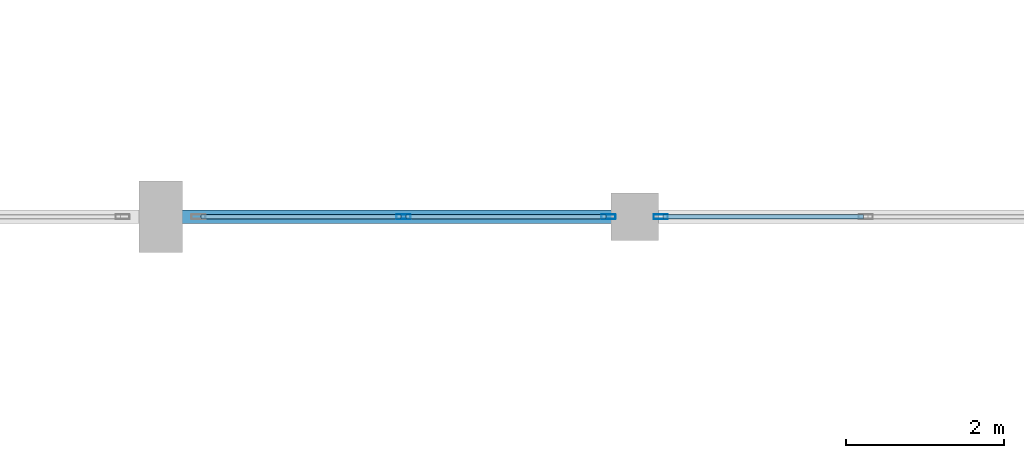
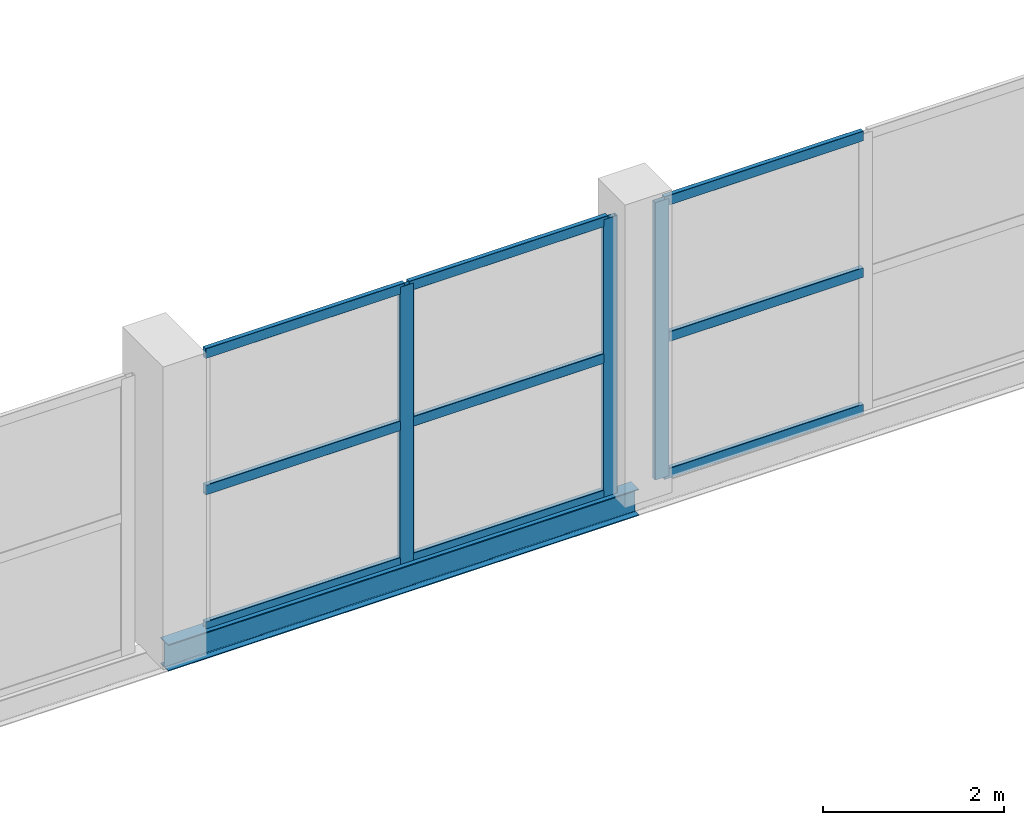
# One storey, part 36 of 127: 12 members, 1 beam, 2 elements without a shape of their own.
"""IFC4 building model written with IfcOpenShell, lengths in metres."""

import ifcopenshell
import ifcopenshell.guid

model = None  # the IFC model being written
_history = None  # IfcOwnerHistory: only IFC2X3 demands one
_inside = {}  # id of a spatial element -> (the spatial element, [elements in it])
_under = {}  # id of a project, library or spatial element -> (it, [spatial elements below it])
_declared = {}  # id of a project -> (the project, [libraries it declares])
_typed = {}  # id of a type object -> (the type object, [elements of that type])
_made_of = {}  # id of a material, layer set ... -> (it, [elements and type objects made of it])


def new_model(schema):
    """Start an empty IFC model of exactly this schema.

    Asked for "IFC4X3", IfcOpenShell would pick the latest addendum, in which some entities
    have other attributes; the version numbers below select the first issue.
    IFC2X3 requires an IfcOwnerHistory on every rooted entity: one is made here for all.
    """
    global model, _history
    if schema == "IFC4X3":
        model = ifcopenshell.file(schema_version=(4, 3, 0, 0))
    else:
        model = ifcopenshell.file(schema=schema)
    _inside.clear()
    _under.clear()
    _declared.clear()
    _typed.clear()
    _made_of.clear()
    _history = None
    if model.schema == "IFC2X3":
        org = make("IfcOrganization", Name="unknown")
        user = make(
            "IfcPersonAndOrganization",
            ThePerson=make("IfcPerson", FamilyName="unknown"),
            TheOrganization=org,
        )
        app = make(
            "IfcApplication",
            ApplicationDeveloper=org,
            Version="unknown",
            ApplicationFullName="unknown",
            ApplicationIdentifier="unknown",
        )
        _history = make(
            "IfcOwnerHistory",
            OwningUser=user,
            OwningApplication=app,
            ChangeAction="ADDED",
            CreationDate=0,
        )
    return model


def make(cls, **values):
    """One entity of the class cls with the attributes given. An attribute that is None is left unset."""
    return model.create_entity(
        cls, **{name: value for name, value in values.items() if value is not None}
    )


def rooted(cls, **values):
    """An entity with a GlobalId (a new one), such as an element, a storey or a relation."""
    return make(cls, GlobalId=ifcopenshell.guid.new(), OwnerHistory=_history, **values)


def si_unit(unit_type, name, prefix=None):
    """IfcSIUnit, for example si_unit("LENGTHUNIT", "METRE", prefix="MILLI")."""
    return make("IfcSIUnit", UnitType=unit_type, Prefix=prefix, Name=name)


def assignment(units):
    """IfcUnitAssignment: the units of a project."""
    return None if units is None else make("IfcUnitAssignment", Units=units)


def point(xyz):
    """IfcCartesianPoint."""
    return None if xyz is None else make("IfcCartesianPoint", Coordinates=xyz)


def direction(xyz):
    """IfcDirection."""
    return None if xyz is None else make("IfcDirection", DirectionRatios=xyz)


def frame(location, z_axis=None, x_axis=None):
    """IfcAxis2Placement3D, a coordinate frame: its origin and axes. An axis left out is left unset."""
    return make(
        "IfcAxis2Placement3D",
        Location=point(location),
        Axis=direction(z_axis),
        RefDirection=direction(x_axis),
    )


def frame_2d(location, x_axis=None):
    """IfcAxis2Placement2D, a coordinate frame in the plane: its origin and x axis."""
    return make(
        "IfcAxis2Placement2D", Location=point(location), RefDirection=direction(x_axis)
    )


def origin():
    """The frame at (0, 0, 0) with its axes left unset."""
    return frame((0.0, 0.0, 0.0))


def origin_2d():
    """The frame at (0, 0) in the plane with its x axis left unset."""
    return frame_2d((0.0, 0.0))


def place(relative_to, where):
    """IfcLocalPlacement: puts the frame where relative to a parent placement (None: the world)."""
    return make(
        "IfcLocalPlacement", PlacementRelTo=relative_to, RelativePlacement=where
    )


def context(
    kind, dimensions, precision=None, world=None, true_north=None, identifier=None
):
    """IfcGeometricRepresentationContext, for example the 3D "Model" context."""
    return make(
        "IfcGeometricRepresentationContext",
        ContextIdentifier=identifier,
        ContextType=kind,
        CoordinateSpaceDimension=dimensions,
        Precision=precision,
        WorldCoordinateSystem=world,
        TrueNorth=true_north,
    )


def subcontext(parent, identifier, kind, view, scale=None):
    """IfcGeometricRepresentationSubContext, for example "Body" below "Model"."""
    return make(
        "IfcGeometricRepresentationSubContext",
        ContextIdentifier=identifier,
        ContextType=kind,
        ParentContext=parent,
        TargetScale=scale,
        TargetView=view,
    )


def project(units=None, contexts=None):
    """IfcProject with its units and contexts."""
    return rooted(
        "IfcProject",
        Name="project",
        RepresentationContexts=contexts,
        UnitsInContext=assignment(units),
    )


def spatial(cls, under=None, at=None, **own):
    """A site, building, storey or space (cls), placed at a placement, below another one or the project."""
    s = rooted(cls, ObjectPlacement=at, **own)
    if under is not None:
        _under.setdefault(under.id(), (under, []))[1].append(s)
    return s


def profile(cls, at=None, kind="AREA", **sizes):
    """A parametric profile (cls). Its sizes go by their IFC names, for example OverallWidth=200.0."""
    return make(cls, ProfileType=kind, Position=at, **sizes)


def hollow_rectangle(**sizes):
    """IfcRectangleHollowProfileDef."""
    return profile("IfcRectangleHollowProfileDef", **sizes)


def i_section(**sizes):
    """IfcIShapeProfileDef."""
    return profile("IfcIShapeProfileDef", **sizes)


def extrude(swept, where, along, depth):
    """IfcExtrudedAreaSolid: the profile swept, set in the frame where, extruded along a direction by depth."""
    return make(
        "IfcExtrudedAreaSolid",
        SweptArea=swept,
        Position=where,
        ExtrudedDirection=direction(along),
        Depth=depth,
    )


def shape(context_of_items, identifier, shape_type, items):
    """IfcShapeRepresentation: the items that make up one representation, for example the "Body"."""
    return make(
        "IfcShapeRepresentation",
        ContextOfItems=context_of_items,
        RepresentationIdentifier=identifier,
        RepresentationType=shape_type,
        Items=items,
    )


def material(Name=None, Category=None):
    """IfcMaterial."""
    return make("IfcMaterial", Name=Name, Category=Category)


def layer(
    of_material, thickness, ventilated=None, Name=None, Category=None, Priority=None
):
    """IfcMaterialLayer: one layer of a wall or slab, of a material (None: an air gap)."""
    return make(
        "IfcMaterialLayer",
        Material=of_material,
        LayerThickness=thickness,
        IsVentilated=ventilated,
        Name=Name,
        Category=Category,
        Priority=Priority,
    )


def layer_set(layers, Name=None):
    """IfcMaterialLayerSet."""
    return make("IfcMaterialLayerSet", MaterialLayers=layers, LayerSetName=Name)


def material_profile(
    of_material, cross_section, Name=None, Category=None, Priority=None
):
    """IfcMaterialProfile: a cross section and its material."""
    return make(
        "IfcMaterialProfile",
        Name=Name,
        Material=of_material,
        Profile=cross_section,
        Priority=Priority,
        Category=Category,
    )


def profile_set(profiles, Name=None, composite=None):
    """IfcMaterialProfileSet."""
    return make(
        "IfcMaterialProfileSet",
        Name=Name,
        MaterialProfiles=profiles,
        CompositeProfile=composite,
    )


def made_of(thing, what):
    """Note that an element or type object is made of a material, layer set ...; save() writes the relation."""
    if what is not None:
        _made_of.setdefault(what.id(), (what, []))[1].append(thing)
    return thing


def type_object(cls, material=None, **own):
    """A type object (cls), such as IfcWallType, which elements share."""
    return made_of(rooted(cls, **own), material)


def element(
    cls,
    number,
    at=None,
    inside=None,
    cuts=None,
    type_object=None,
    material=None,
    context=None,
    identifier="Body",
    shape_type=None,
    held_by="IfcProductDefinitionShape",
    body=None,
    shapes=None,
    **own,
):
    """One element of the class cls, such as IfcWall. Its Tag is "e" and its number.

    at: its placement. inside: the storey or other place that contains it. cuts: it is an
    opening in that element (IfcRelVoidsElement). A single representation is given by context,
    identifier, shape_type and body (its items); several are given by shapes. held_by: the class
    of the entity that holds the representations. save() writes the other relations.
    """
    e = rooted(cls, Tag="e%d" % number, ObjectPlacement=at, **own)
    if body is not None:
        shapes = [shape(context, identifier, shape_type, body)]
    if shapes is not None:
        e.Representation = make(held_by, Representations=shapes)
    if inside is not None:
        _inside.setdefault(inside.id(), (inside, []))[1].append(e)
    if cuts is not None:
        rooted(
            "IfcRelVoidsElement", RelatingBuildingElement=cuts, RelatedOpeningElement=e
        )
    if type_object is not None:
        _typed.setdefault(type_object.id(), (type_object, []))[1].append(e)
    return made_of(e, material)


def aggregate(whole, parts):
    """IfcRelAggregates: a whole, such as a stair, and the parts it consists of."""
    return rooted("IfcRelAggregates", RelatingObject=whole, RelatedObjects=parts)


def save(model, path):
    """Write the relations noted so far, then the file.

    IfcRelAggregates (storeys below a building ...), IfcRelContainedInSpatialStructure (elements
    in a storey), IfcRelDefinesByType, IfcRelAssociatesMaterial and IfcRelDeclares: one each for
    every whole, place, type object, material and project.
    """
    for whole, parts in _under.values():
        aggregate(whole, parts)
    for where, things in _inside.values():
        rooted(
            "IfcRelContainedInSpatialStructure",
            RelatedElements=things,
            RelatingStructure=where,
        )
    for kind, things in _typed.values():
        rooted("IfcRelDefinesByType", RelatedObjects=things, RelatingType=kind)
    for what, things in _made_of.values():
        rooted("IfcRelAssociatesMaterial", RelatedObjects=things, RelatingMaterial=what)
    for by, libraries in _declared.values():
        rooted("IfcRelDeclares", RelatingContext=by, RelatedDefinitions=libraries)
    model.write(path)


model = new_model("IFC4")

# Units and contexts
model_context = context("Model", 3, precision=1e-05, world=origin(), true_north=direction((0.0, 1.0)))
body_context = subcontext(model_context, "Body", "Model", "MODEL_VIEW")
ifc_project = project(units=[si_unit("LENGTHUNIT", "METRE"), si_unit("AREAUNIT", "SQUARE_METRE"), si_unit("VOLUMEUNIT", "CUBIC_METRE"), si_unit("PLANEANGLEUNIT", "RADIAN"), si_unit("MASSUNIT", "GRAM", prefix="KILO")], contexts=[model_context])

# Site, building, storey
site_placement = place(None, origin())
site = spatial("IfcSite", under=ifc_project, at=site_placement, CompositionType="ELEMENT")
building_placement = place(site_placement, origin())
building = spatial("IfcBuilding", under=site, at=building_placement, Name="Dunvalen Ferry Terminal", CompositionType="ELEMENT")
storey_placement = place(building_placement, frame((0.0, 0.0, 5.760009765625)))
storey = spatial("IfcBuildingStorey", under=building, at=storey_placement, Name="L01", CompositionType="ELEMENT", Elevation=5.760009765625)

# Curtain wall, members
ifc_material_1 = material(Name="Anodised marine aluminium and solar-control glazing", Category="aluminium")
ifc_layer = layer(ifc_material_1, 0.219970703125, Name="Anodised marine aluminium and solar-control glazing")
ifc_layer_set = layer_set([ifc_layer], Name="Anodised marine aluminium and solar-control glazing")
curtain_wall_type = type_object("IfcCurtainWallType", Name="ENV-CW-SYS-02", PredefinedType="NOTDEFINED", material=ifc_layer_set)
curtain_wall_1_placement = place(storey_placement, origin())
curtain_wall_1 = element("IfcCurtainWall", 1, at=curtain_wall_1_placement, inside=storey, type_object=curtain_wall_type, Name="L01 Curtain Wall CW-V2S-L01-03", PredefinedType="NOTDEFINED")
ifc_material_2 = material(Name="Anodised marine aluminium EN AW-6063 T6", Category="aluminium")
ifc_material_profile_1 = material_profile(ifc_material_2, hollow_rectangle(XDim=0.06005859375, YDim=0.179931640625, WallThickness=0.00341796875, InnerFilletRadius=0.00341796875, OuterFilletRadius=0.007080078125, at=origin_2d()), Name="Anodised marine aluminium EN AW-6063 T6")
ifc_profile_set_1 = profile_set([ifc_material_profile_1], Name="Anodised marine aluminium EN AW-6063 T6")
member_type_1 = type_object("IfcMemberType", Name="ENV-CW-MUL-2", PredefinedType="MULLION", material=ifc_profile_set_1)
member_1_placement = place(storey_placement, frame((123.074951171875, 57.60009765625, 0.02001953125), z_axis=(0.0, 0.0, 1.0), x_axis=(0.0, 1.0, 0.0)))
member_1 = element("IfcMember", 2, at=member_1_placement, type_object=member_type_1, Name="CW-02 mullion 2", PredefinedType="MULLION", context=body_context, shape_type="SweptSolid", body=[
    extrude(hollow_rectangle(XDim=0.06005859375, YDim=0.179931640625, WallThickness=0.00341796875, InnerFilletRadius=0.00341796875, OuterFilletRadius=0.007080078125, at=origin_2d()), origin(), (0.0, 0.0, 1.0), 3.739990234375),
])
member_2_placement = place(storey_placement, frame((125.669921875, 57.60009765625, 0.02001953125), z_axis=(0.0, 0.0, 1.0), x_axis=(0.0, 1.0, 0.0)))
member_2 = element("IfcMember", 3, at=member_2_placement, type_object=member_type_1, Name="CW-02 mullion 3", PredefinedType="MULLION", context=body_context, shape_type="SweptSolid", body=[
    extrude(hollow_rectangle(XDim=0.06005859375, YDim=0.179931640625, WallThickness=0.00341796875, InnerFilletRadius=0.00341796875, OuterFilletRadius=0.007080078125, at=origin_2d()), origin(), (0.0, 0.0, 1.0), 3.739990234375),
])

# Curtain wall, member
curtain_wall_2_placement = place(storey_placement, origin())
curtain_wall_2 = element("IfcCurtainWall", 4, at=curtain_wall_2_placement, inside=storey, type_object=curtain_wall_type, Name="L01 Curtain Wall CW-V2S-L01-04", PredefinedType="NOTDEFINED")
member_3_placement = place(storey_placement, frame((126.330078125, 57.60009765625, 0.02001953125), z_axis=(0.0, 0.0, 1.0), x_axis=(0.0, 1.0, 0.0)))
member_3 = element("IfcMember", 5, at=member_3_placement, type_object=member_type_1, Name="CW-02 mullion 1", PredefinedType="MULLION", context=body_context, shape_type="SweptSolid", body=[
    extrude(hollow_rectangle(XDim=0.06005859375, YDim=0.179931640625, WallThickness=0.00341796875, InnerFilletRadius=0.00341796875, OuterFilletRadius=0.007080078125, at=origin_2d()), origin(), (0.0, 0.0, 1.0), 3.739990234375),
])

# Member
ifc_material_profile_2 = material_profile(ifc_material_2, hollow_rectangle(XDim=0.06005859375, YDim=0.135009765625, WallThickness=0.003173828125, InnerFilletRadius=0.003173828125, OuterFilletRadius=0.00634765625, at=origin_2d()), Name="Anodised marine aluminium EN AW-6063 T6")
ifc_profile_set_2 = profile_set([ifc_material_profile_2], Name="Anodised marine aluminium EN AW-6063 T6")
member_type_2 = type_object("IfcMemberType", Name="ENV-CW-TRN-2", PredefinedType="USERDEFINED", material=ifc_profile_set_2)
member_4_placement = place(storey_placement, frame((120.510009765625, 57.60009765625, 0.050048828125), z_axis=(1.0, 0.0, 0.0), x_axis=(0.0, 1.0, 0.0)))
member_4 = element("IfcMember", 6, at=member_4_placement, type_object=member_type_2, Name="CW-02 transom 1.1", ObjectType="TRANSOM", PredefinedType="USERDEFINED", context=body_context, shape_type="SweptSolid", body=[
    extrude(hollow_rectangle(XDim=0.06005859375, YDim=0.135009765625, WallThickness=0.003173828125, InnerFilletRadius=0.003173828125, OuterFilletRadius=0.00634765625, at=origin_2d()), origin(), (0.0, 0.0, 1.0), 2.534912109375),
])

member_5_placement = place(storey_placement, frame((120.510009765625, 57.60009765625, 1.889892578125), z_axis=(1.0, 0.0, 0.0), x_axis=(0.0, 1.0, 0.0)))
member_5 = element("IfcMember", 7, at=member_5_placement, type_object=member_type_2, Name="CW-02 transom 1.2", ObjectType="TRANSOM", PredefinedType="USERDEFINED", context=body_context, shape_type="SweptSolid", body=[
    extrude(hollow_rectangle(XDim=0.06005859375, YDim=0.135009765625, WallThickness=0.003173828125, InnerFilletRadius=0.003173828125, OuterFilletRadius=0.00634765625, at=origin_2d()), origin(), (0.0, 0.0, 1.0), 2.534912109375),
])

member_6_placement = place(storey_placement, frame((120.510009765625, 57.60009765625, 3.72998046875), z_axis=(1.0, 0.0, 0.0), x_axis=(0.0, 1.0, 0.0)))
member_6 = element("IfcMember", 8, at=member_6_placement, type_object=member_type_2, Name="CW-02 transom 1.3", ObjectType="TRANSOM", PredefinedType="USERDEFINED", context=body_context, shape_type="SweptSolid", body=[
    extrude(hollow_rectangle(XDim=0.06005859375, YDim=0.135009765625, WallThickness=0.003173828125, InnerFilletRadius=0.003173828125, OuterFilletRadius=0.00634765625, at=origin_2d()), origin(), (0.0, 0.0, 1.0), 2.534912109375),
])

member_7_placement = place(storey_placement, frame((123.10498046875, 57.60009765625, 0.050048828125), z_axis=(1.0, 0.0, 0.0), x_axis=(0.0, 1.0, 0.0)))
member_7 = element("IfcMember", 9, at=member_7_placement, type_object=member_type_2, Name="CW-02 transom 2.1", ObjectType="TRANSOM", PredefinedType="USERDEFINED", context=body_context, shape_type="SweptSolid", body=[
    extrude(hollow_rectangle(XDim=0.06005859375, YDim=0.135009765625, WallThickness=0.003173828125, InnerFilletRadius=0.003173828125, OuterFilletRadius=0.00634765625, at=origin_2d()), origin(), (0.0, 0.0, 1.0), 2.534912109375),
])

member_8_placement = place(storey_placement, frame((123.10498046875, 57.60009765625, 1.889892578125), z_axis=(1.0, 0.0, 0.0), x_axis=(0.0, 1.0, 0.0)))
member_8 = element("IfcMember", 10, at=member_8_placement, type_object=member_type_2, Name="CW-02 transom 2.2", ObjectType="TRANSOM", PredefinedType="USERDEFINED", context=body_context, shape_type="SweptSolid", body=[
    extrude(hollow_rectangle(XDim=0.06005859375, YDim=0.135009765625, WallThickness=0.003173828125, InnerFilletRadius=0.003173828125, OuterFilletRadius=0.00634765625, at=origin_2d()), origin(), (0.0, 0.0, 1.0), 2.534912109375),
])

member_9_placement = place(storey_placement, frame((123.10498046875, 57.60009765625, 3.72998046875), z_axis=(1.0, 0.0, 0.0), x_axis=(0.0, 1.0, 0.0)))
member_9 = element("IfcMember", 11, at=member_9_placement, type_object=member_type_2, Name="CW-02 transom 2.3", ObjectType="TRANSOM", PredefinedType="USERDEFINED", context=body_context, shape_type="SweptSolid", body=[
    extrude(hollow_rectangle(XDim=0.06005859375, YDim=0.135009765625, WallThickness=0.003173828125, InnerFilletRadius=0.003173828125, OuterFilletRadius=0.00634765625, at=origin_2d()), origin(), (0.0, 0.0, 1.0), 2.534912109375),
])

aggregate(curtain_wall_1, [member_1, member_2, member_4, member_5, member_6, member_7, member_8, member_9])

member_10_placement = place(storey_placement, frame((126.360107421875, 57.60009765625, 0.050048828125), z_axis=(1.0, 0.0, 0.0), x_axis=(0.0, 1.0, 0.0)))
member_10 = element("IfcMember", 12, at=member_10_placement, type_object=member_type_2, Name="CW-02 transom 1.1", ObjectType="TRANSOM", PredefinedType="USERDEFINED", context=body_context, shape_type="SweptSolid", body=[
    extrude(hollow_rectangle(XDim=0.06005859375, YDim=0.135009765625, WallThickness=0.003173828125, InnerFilletRadius=0.003173828125, OuterFilletRadius=0.00634765625, at=origin_2d()), origin(), (0.0, 0.0, 1.0), 2.534912109375),
])

member_11_placement = place(storey_placement, frame((126.360107421875, 57.60009765625, 1.889892578125), z_axis=(1.0, 0.0, 0.0), x_axis=(0.0, 1.0, 0.0)))
member_11 = element("IfcMember", 13, at=member_11_placement, type_object=member_type_2, Name="CW-02 transom 1.2", ObjectType="TRANSOM", PredefinedType="USERDEFINED", context=body_context, shape_type="SweptSolid", body=[
    extrude(hollow_rectangle(XDim=0.06005859375, YDim=0.135009765625, WallThickness=0.003173828125, InnerFilletRadius=0.003173828125, OuterFilletRadius=0.00634765625, at=origin_2d()), origin(), (0.0, 0.0, 1.0), 2.534912109375),
])

member_12_placement = place(storey_placement, frame((126.360107421875, 57.60009765625, 3.72998046875), z_axis=(1.0, 0.0, 0.0), x_axis=(0.0, 1.0, 0.0)))
member_12 = element("IfcMember", 14, at=member_12_placement, type_object=member_type_2, Name="CW-02 transom 1.3", ObjectType="TRANSOM", PredefinedType="USERDEFINED", context=body_context, shape_type="SweptSolid", body=[
    extrude(hollow_rectangle(XDim=0.06005859375, YDim=0.135009765625, WallThickness=0.003173828125, InnerFilletRadius=0.003173828125, OuterFilletRadius=0.00634765625, at=origin_2d()), origin(), (0.0, 0.0, 1.0), 2.534912109375),
])

aggregate(curtain_wall_2, [member_3, member_10, member_11, member_12])

# Beam
ifc_material_3 = material(Name="Steel S355", Category="steel")
ifc_material_profile_3 = material_profile(ifc_material_3, i_section(OverallWidth=0.169921875, OverallDepth=0.360107421875, WebThickness=0.008056640625, FlangeThickness=0.0126953125, FilletRadius=0.01806640625, at=origin_2d()), Name="Steel S355")
ifc_profile_set_3 = profile_set([ifc_material_profile_3], Name="Steel S355")
beam_type = type_object("IfcBeamType", Name="STR-BM-IPE360", PredefinedType="BEAM", material=ifc_profile_set_3)
beam_placement = place(storey_placement, frame((120.0, 57.60009765625, -0.159912109375), z_axis=(1.0, 0.0, 0.0), x_axis=(0.0, 1.0, 0.0)))
element("IfcBeam", 15, at=beam_placement, inside=storey, type_object=beam_type, Name="Arrivals Hall South Curtain-Wall Girt 03", PredefinedType="BEAM", context=body_context, shape_type="SweptSolid", body=[
    extrude(i_section(OverallWidth=0.169921875, OverallDepth=0.360107421875, WebThickness=0.008056640625, FlangeThickness=0.0126953125, FilletRadius=0.01806640625, at=origin_2d()), origin(), (0.0, 0.0, 1.0), 6.0),
])

save(model, "model.ifc")
